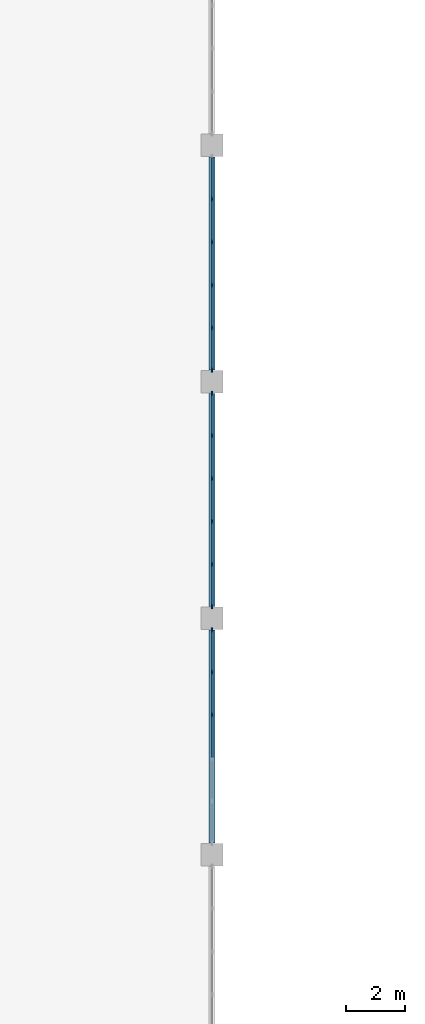
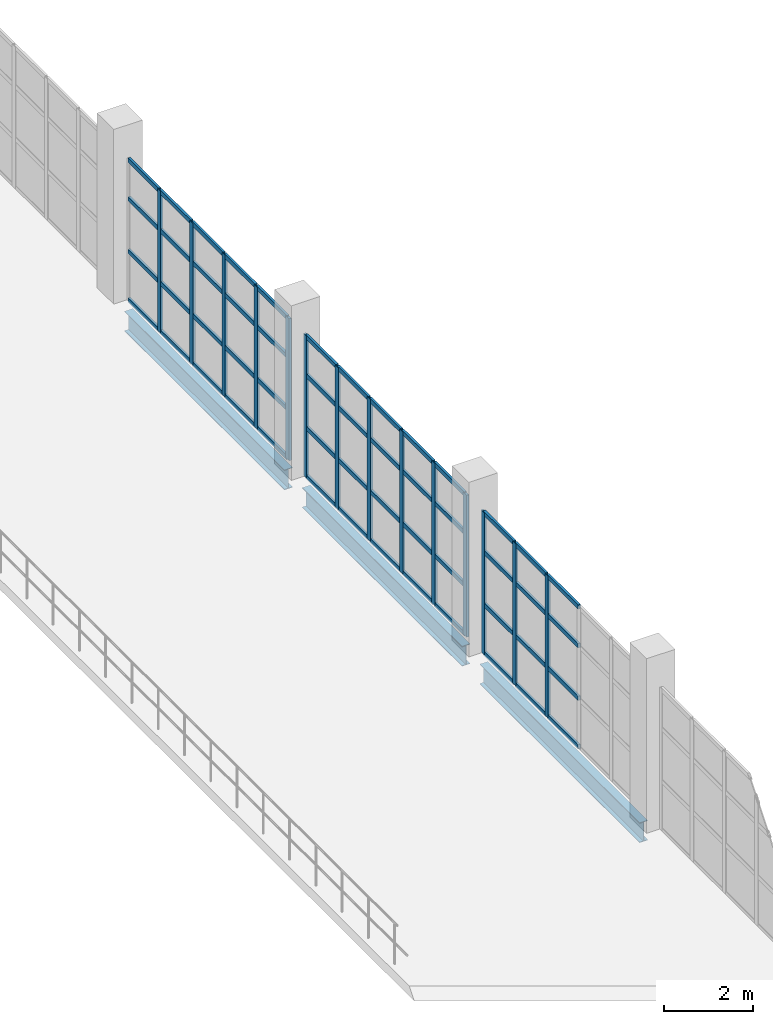
# One storey, part 22 of 93: 66 members, 3 beams, 3 elements without a shape of their own.
"""IFC4 building model written with IfcOpenShell, lengths in metres."""

import ifcopenshell
import ifcopenshell.guid

model = None  # the IFC model being written
_history = None  # IfcOwnerHistory: only IFC2X3 demands one
_inside = {}  # id of a spatial element -> (the spatial element, [elements in it])
_under = {}  # id of a project, library or spatial element -> (it, [spatial elements below it])
_declared = {}  # id of a project -> (the project, [libraries it declares])
_typed = {}  # id of a type object -> (the type object, [elements of that type])
_made_of = {}  # id of a material, layer set ... -> (it, [elements and type objects made of it])


def new_model(schema):
    """Start an empty IFC model of exactly this schema.

    Asked for "IFC4X3", IfcOpenShell would pick the latest addendum, in which some entities
    have other attributes; the version numbers below select the first issue.
    IFC2X3 requires an IfcOwnerHistory on every rooted entity: one is made here for all.
    """
    global model, _history
    if schema == "IFC4X3":
        model = ifcopenshell.file(schema_version=(4, 3, 0, 0))
    else:
        model = ifcopenshell.file(schema=schema)
    _inside.clear()
    _under.clear()
    _declared.clear()
    _typed.clear()
    _made_of.clear()
    _history = None
    if model.schema == "IFC2X3":
        org = make("IfcOrganization", Name="unknown")
        user = make(
            "IfcPersonAndOrganization",
            ThePerson=make("IfcPerson", FamilyName="unknown"),
            TheOrganization=org,
        )
        app = make(
            "IfcApplication",
            ApplicationDeveloper=org,
            Version="unknown",
            ApplicationFullName="unknown",
            ApplicationIdentifier="unknown",
        )
        _history = make(
            "IfcOwnerHistory",
            OwningUser=user,
            OwningApplication=app,
            ChangeAction="ADDED",
            CreationDate=0,
        )
    return model


def make(cls, **values):
    """One entity of the class cls with the attributes given. An attribute that is None is left unset."""
    return model.create_entity(
        cls, **{name: value for name, value in values.items() if value is not None}
    )


def rooted(cls, **values):
    """An entity with a GlobalId (a new one), such as an element, a storey or a relation."""
    return make(cls, GlobalId=ifcopenshell.guid.new(), OwnerHistory=_history, **values)


def si_unit(unit_type, name, prefix=None):
    """IfcSIUnit, for example si_unit("LENGTHUNIT", "METRE", prefix="MILLI")."""
    return make("IfcSIUnit", UnitType=unit_type, Prefix=prefix, Name=name)


def assignment(units):
    """IfcUnitAssignment: the units of a project."""
    return None if units is None else make("IfcUnitAssignment", Units=units)


def point(xyz):
    """IfcCartesianPoint."""
    return None if xyz is None else make("IfcCartesianPoint", Coordinates=xyz)


def direction(xyz):
    """IfcDirection."""
    return None if xyz is None else make("IfcDirection", DirectionRatios=xyz)


def frame(location, z_axis=None, x_axis=None):
    """IfcAxis2Placement3D, a coordinate frame: its origin and axes. An axis left out is left unset."""
    return make(
        "IfcAxis2Placement3D",
        Location=point(location),
        Axis=direction(z_axis),
        RefDirection=direction(x_axis),
    )


def frame_2d(location, x_axis=None):
    """IfcAxis2Placement2D, a coordinate frame in the plane: its origin and x axis."""
    return make(
        "IfcAxis2Placement2D", Location=point(location), RefDirection=direction(x_axis)
    )


def origin():
    """The frame at (0, 0, 0) with its axes left unset."""
    return frame((0.0, 0.0, 0.0))


def origin_2d():
    """The frame at (0, 0) in the plane with its x axis left unset."""
    return frame_2d((0.0, 0.0))


def place(relative_to, where):
    """IfcLocalPlacement: puts the frame where relative to a parent placement (None: the world)."""
    return make(
        "IfcLocalPlacement", PlacementRelTo=relative_to, RelativePlacement=where
    )


def context(
    kind, dimensions, precision=None, world=None, true_north=None, identifier=None
):
    """IfcGeometricRepresentationContext, for example the 3D "Model" context."""
    return make(
        "IfcGeometricRepresentationContext",
        ContextIdentifier=identifier,
        ContextType=kind,
        CoordinateSpaceDimension=dimensions,
        Precision=precision,
        WorldCoordinateSystem=world,
        TrueNorth=true_north,
    )


def subcontext(parent, identifier, kind, view, scale=None):
    """IfcGeometricRepresentationSubContext, for example "Body" below "Model"."""
    return make(
        "IfcGeometricRepresentationSubContext",
        ContextIdentifier=identifier,
        ContextType=kind,
        ParentContext=parent,
        TargetScale=scale,
        TargetView=view,
    )


def project(units=None, contexts=None):
    """IfcProject with its units and contexts."""
    return rooted(
        "IfcProject",
        Name="project",
        RepresentationContexts=contexts,
        UnitsInContext=assignment(units),
    )


def spatial(cls, under=None, at=None, **own):
    """A site, building, storey or space (cls), placed at a placement, below another one or the project."""
    s = rooted(cls, ObjectPlacement=at, **own)
    if under is not None:
        _under.setdefault(under.id(), (under, []))[1].append(s)
    return s


def profile(cls, at=None, kind="AREA", **sizes):
    """A parametric profile (cls). Its sizes go by their IFC names, for example OverallWidth=200.0."""
    return make(cls, ProfileType=kind, Position=at, **sizes)


def rectangle(**sizes):
    """IfcRectangleProfileDef."""
    return profile("IfcRectangleProfileDef", **sizes)


def i_section(**sizes):
    """IfcIShapeProfileDef."""
    return profile("IfcIShapeProfileDef", **sizes)


def extrude(swept, where, along, depth):
    """IfcExtrudedAreaSolid: the profile swept, set in the frame where, extruded along a direction by depth."""
    return make(
        "IfcExtrudedAreaSolid",
        SweptArea=swept,
        Position=where,
        ExtrudedDirection=direction(along),
        Depth=depth,
    )


def shape(context_of_items, identifier, shape_type, items):
    """IfcShapeRepresentation: the items that make up one representation, for example the "Body"."""
    return make(
        "IfcShapeRepresentation",
        ContextOfItems=context_of_items,
        RepresentationIdentifier=identifier,
        RepresentationType=shape_type,
        Items=items,
    )


def material(Name=None, Category=None):
    """IfcMaterial."""
    return make("IfcMaterial", Name=Name, Category=Category)


def layer(
    of_material, thickness, ventilated=None, Name=None, Category=None, Priority=None
):
    """IfcMaterialLayer: one layer of a wall or slab, of a material (None: an air gap)."""
    return make(
        "IfcMaterialLayer",
        Material=of_material,
        LayerThickness=thickness,
        IsVentilated=ventilated,
        Name=Name,
        Category=Category,
        Priority=Priority,
    )


def layer_set(layers, Name=None):
    """IfcMaterialLayerSet."""
    return make("IfcMaterialLayerSet", MaterialLayers=layers, LayerSetName=Name)


def material_profile(
    of_material, cross_section, Name=None, Category=None, Priority=None
):
    """IfcMaterialProfile: a cross section and its material."""
    return make(
        "IfcMaterialProfile",
        Name=Name,
        Material=of_material,
        Profile=cross_section,
        Priority=Priority,
        Category=Category,
    )


def profile_set(profiles, Name=None, composite=None):
    """IfcMaterialProfileSet."""
    return make(
        "IfcMaterialProfileSet",
        Name=Name,
        MaterialProfiles=profiles,
        CompositeProfile=composite,
    )


def made_of(thing, what):
    """Note that an element or type object is made of a material, layer set ...; save() writes the relation."""
    if what is not None:
        _made_of.setdefault(what.id(), (what, []))[1].append(thing)
    return thing


def type_object(cls, material=None, **own):
    """A type object (cls), such as IfcWallType, which elements share."""
    return made_of(rooted(cls, **own), material)


def element(
    cls,
    number,
    at=None,
    inside=None,
    cuts=None,
    type_object=None,
    material=None,
    context=None,
    identifier="Body",
    shape_type=None,
    held_by="IfcProductDefinitionShape",
    body=None,
    shapes=None,
    **own,
):
    """One element of the class cls, such as IfcWall. Its Tag is "e" and its number.

    at: its placement. inside: the storey or other place that contains it. cuts: it is an
    opening in that element (IfcRelVoidsElement). A single representation is given by context,
    identifier, shape_type and body (its items); several are given by shapes. held_by: the class
    of the entity that holds the representations. save() writes the other relations.
    """
    e = rooted(cls, Tag="e%d" % number, ObjectPlacement=at, **own)
    if body is not None:
        shapes = [shape(context, identifier, shape_type, body)]
    if shapes is not None:
        e.Representation = make(held_by, Representations=shapes)
    if inside is not None:
        _inside.setdefault(inside.id(), (inside, []))[1].append(e)
    if cuts is not None:
        rooted(
            "IfcRelVoidsElement", RelatingBuildingElement=cuts, RelatedOpeningElement=e
        )
    if type_object is not None:
        _typed.setdefault(type_object.id(), (type_object, []))[1].append(e)
    return made_of(e, material)


def aggregate(whole, parts):
    """IfcRelAggregates: a whole, such as a stair, and the parts it consists of."""
    return rooted("IfcRelAggregates", RelatingObject=whole, RelatedObjects=parts)


def save(model, path):
    """Write the relations noted so far, then the file.

    IfcRelAggregates (storeys below a building ...), IfcRelContainedInSpatialStructure (elements
    in a storey), IfcRelDefinesByType, IfcRelAssociatesMaterial and IfcRelDeclares: one each for
    every whole, place, type object, material and project.
    """
    for whole, parts in _under.values():
        aggregate(whole, parts)
    for where, things in _inside.values():
        rooted(
            "IfcRelContainedInSpatialStructure",
            RelatedElements=things,
            RelatingStructure=where,
        )
    for kind, things in _typed.values():
        rooted("IfcRelDefinesByType", RelatedObjects=things, RelatingType=kind)
    for what, things in _made_of.values():
        rooted("IfcRelAssociatesMaterial", RelatedObjects=things, RelatingMaterial=what)
    for by, libraries in _declared.values():
        rooted("IfcRelDeclares", RelatingContext=by, RelatedDefinitions=libraries)
    model.write(path)


model = new_model("IFC4")

# Units and contexts
model_context = context("Model", 3, precision=1e-05, world=origin(), true_north=direction((0.0, 1.0)))
body_context = subcontext(model_context, "Body", "Model", "MODEL_VIEW")
ifc_project = project(units=[si_unit("LENGTHUNIT", "METRE"), si_unit("AREAUNIT", "SQUARE_METRE"), si_unit("VOLUMEUNIT", "CUBIC_METRE"), si_unit("PLANEANGLEUNIT", "RADIAN"), si_unit("MASSUNIT", "GRAM", prefix="KILO")], contexts=[model_context])

# Site, building, storey
site_placement = place(None, origin())
site = spatial("IfcSite", under=ifc_project, at=site_placement, CompositionType="ELEMENT")
building_placement = place(site_placement, origin())
building = spatial("IfcBuilding", under=site, at=building_placement, Name="Drelvana Railside Aquatics Centre", CompositionType="ELEMENT")
storey_placement = place(building_placement, frame((0.0, 0.0, 5.39990234375)))
storey = spatial("IfcBuildingStorey", under=building, at=storey_placement, Name="L01", CompositionType="ELEMENT", Elevation=5.39990234375)

# Curtain wall, members
ifc_material_1 = material(Name="Bronze-anodised aluminium curtain wall", Category="aluminium")
ifc_layer = layer(ifc_material_1, 0.1650390625, Name="Bronze-anodised aluminium curtain wall")
ifc_layer_set = layer_set([ifc_layer], Name="Bronze-anodised aluminium curtain wall")
curtain_wall_type = type_object("IfcCurtainWallType", Name="CW-Z5-COURT", PredefinedType="NOTDEFINED", material=ifc_layer_set)
curtain_wall_1_placement = place(storey_placement, origin())
curtain_wall_1 = element("IfcCurtainWall", 1, at=curtain_wall_1_placement, inside=storey, type_object=curtain_wall_type, Name="Curtain wall CW-05-060", PredefinedType="NOTDEFINED")
ifc_material_2 = material(Name="Bronze-anodised aluminium 6063-T6", Category="aluminium")
ifc_material_profile_1 = material_profile(ifc_material_2, rectangle(XDim=0.06005859375, YDim=0.14990234375, at=origin_2d()), Name="ALU-M 60x150")
ifc_profile_set_1 = profile_set([ifc_material_profile_1], Name="Bronze-anodised aluminium 6063-T6")
member_type_1 = type_object("IfcMemberType", Name="CW-Z5-COURT-MUL", PredefinedType="MULLION", material=ifc_profile_set_1)
member_1_placement = place(storey_placement, frame((96.0, 36.726318359375, -0.005859375), z_axis=(0.0, 0.0, 1.0), x_axis=(-1.0, 0.0, 0.0)))
member_1 = element("IfcMember", 2, at=member_1_placement, type_object=member_type_1, Name="CW-05 mullion 4", PredefinedType="MULLION", context=body_context, shape_type="SweptSolid", body=[
    extrude(rectangle(XDim=0.06005859375, YDim=0.14990234375, at=origin_2d()), origin(), (0.0, 0.0, 1.0), 3.906005859375),
])
member_2_placement = place(storey_placement, frame((96.0, 38.1787109375, -0.005859375), z_axis=(0.0, 0.0, 1.0), x_axis=(-1.0, 0.0, 0.0)))
member_2 = element("IfcMember", 3, at=member_2_placement, type_object=member_type_1, Name="CW-05 mullion 5", PredefinedType="MULLION", context=body_context, shape_type="SweptSolid", body=[
    extrude(rectangle(XDim=0.06005859375, YDim=0.14990234375, at=origin_2d()), origin(), (0.0, 0.0, 1.0), 3.906005859375),
])
member_3_placement = place(storey_placement, frame((96.0, 39.60107421875, -0.005859375), z_axis=(0.0, 0.0, 1.0), x_axis=(-1.0, 0.0, 0.0)))
member_3 = element("IfcMember", 4, at=member_3_placement, type_object=member_type_1, Name="CW-05 mullion 6", PredefinedType="MULLION", context=body_context, shape_type="SweptSolid", body=[
    extrude(rectangle(XDim=0.06005859375, YDim=0.14990234375, at=origin_2d()), origin(), (0.0, 0.0, 1.0), 3.906005859375),
])

curtain_wall_2_placement = place(storey_placement, origin())
curtain_wall_2 = element("IfcCurtainWall", 5, at=curtain_wall_2_placement, inside=storey, type_object=curtain_wall_type, Name="Curtain wall CW-05-064", PredefinedType="NOTDEFINED")
member_4_placement = place(storey_placement, frame((96.0, 40.39892578125, -0.005859375), z_axis=(0.0, 0.0, 1.0), x_axis=(-1.0, 0.0, 0.0)))
member_4 = element("IfcMember", 6, at=member_4_placement, type_object=member_type_1, Name="CW-05 mullion 1", PredefinedType="MULLION", context=body_context, shape_type="SweptSolid", body=[
    extrude(rectangle(XDim=0.06005859375, YDim=0.14990234375, at=origin_2d()), origin(), (0.0, 0.0, 1.0), 3.906005859375),
])
member_5_placement = place(storey_placement, frame((96.0, 41.8212890625, -0.005859375), z_axis=(0.0, 0.0, 1.0), x_axis=(-1.0, 0.0, 0.0)))
member_5 = element("IfcMember", 7, at=member_5_placement, type_object=member_type_1, Name="CW-05 mullion 2", PredefinedType="MULLION", context=body_context, shape_type="SweptSolid", body=[
    extrude(rectangle(XDim=0.06005859375, YDim=0.14990234375, at=origin_2d()), origin(), (0.0, 0.0, 1.0), 3.906005859375),
])
member_6_placement = place(storey_placement, frame((96.0, 43.273681640625, -0.005859375), z_axis=(0.0, 0.0, 1.0), x_axis=(-1.0, 0.0, 0.0)))
member_6 = element("IfcMember", 8, at=member_6_placement, type_object=member_type_1, Name="CW-05 mullion 3", PredefinedType="MULLION", context=body_context, shape_type="SweptSolid", body=[
    extrude(rectangle(XDim=0.06005859375, YDim=0.14990234375, at=origin_2d()), origin(), (0.0, 0.0, 1.0), 3.906005859375),
])
member_7_placement = place(storey_placement, frame((96.0, 44.726318359375, -0.005859375), z_axis=(0.0, 0.0, 1.0), x_axis=(-1.0, 0.0, 0.0)))
member_7 = element("IfcMember", 9, at=member_7_placement, type_object=member_type_1, Name="CW-05 mullion 4", PredefinedType="MULLION", context=body_context, shape_type="SweptSolid", body=[
    extrude(rectangle(XDim=0.06005859375, YDim=0.14990234375, at=origin_2d()), origin(), (0.0, 0.0, 1.0), 3.906005859375),
])
member_8_placement = place(storey_placement, frame((96.0, 46.1787109375, -0.005859375), z_axis=(0.0, 0.0, 1.0), x_axis=(-1.0, 0.0, 0.0)))
member_8 = element("IfcMember", 10, at=member_8_placement, type_object=member_type_1, Name="CW-05 mullion 5", PredefinedType="MULLION", context=body_context, shape_type="SweptSolid", body=[
    extrude(rectangle(XDim=0.06005859375, YDim=0.14990234375, at=origin_2d()), origin(), (0.0, 0.0, 1.0), 3.906005859375),
])
member_9_placement = place(storey_placement, frame((96.0, 47.60107421875, -0.005859375), z_axis=(0.0, 0.0, 1.0), x_axis=(-1.0, 0.0, 0.0)))
member_9 = element("IfcMember", 11, at=member_9_placement, type_object=member_type_1, Name="CW-05 mullion 6", PredefinedType="MULLION", context=body_context, shape_type="SweptSolid", body=[
    extrude(rectangle(XDim=0.06005859375, YDim=0.14990234375, at=origin_2d()), origin(), (0.0, 0.0, 1.0), 3.906005859375),
])

curtain_wall_3_placement = place(storey_placement, origin())
curtain_wall_3 = element("IfcCurtainWall", 12, at=curtain_wall_3_placement, inside=storey, type_object=curtain_wall_type, Name="Curtain wall CW-05-067", PredefinedType="NOTDEFINED")
member_10_placement = place(storey_placement, frame((96.0, 48.39892578125, -0.005859375), z_axis=(0.0, 0.0, 1.0), x_axis=(-1.0, 0.0, 0.0)))
member_10 = element("IfcMember", 13, at=member_10_placement, type_object=member_type_1, Name="CW-05 mullion 1", PredefinedType="MULLION", context=body_context, shape_type="SweptSolid", body=[
    extrude(rectangle(XDim=0.06005859375, YDim=0.14990234375, at=origin_2d()), origin(), (0.0, 0.0, 1.0), 3.906005859375),
])
member_11_placement = place(storey_placement, frame((96.0, 49.8212890625, -0.005859375), z_axis=(0.0, 0.0, 1.0), x_axis=(-1.0, 0.0, 0.0)))
member_11 = element("IfcMember", 14, at=member_11_placement, type_object=member_type_1, Name="CW-05 mullion 2", PredefinedType="MULLION", context=body_context, shape_type="SweptSolid", body=[
    extrude(rectangle(XDim=0.06005859375, YDim=0.14990234375, at=origin_2d()), origin(), (0.0, 0.0, 1.0), 3.906005859375),
])
member_12_placement = place(storey_placement, frame((96.0, 51.273681640625, -0.005859375), z_axis=(0.0, 0.0, 1.0), x_axis=(-1.0, 0.0, 0.0)))
member_12 = element("IfcMember", 15, at=member_12_placement, type_object=member_type_1, Name="CW-05 mullion 3", PredefinedType="MULLION", context=body_context, shape_type="SweptSolid", body=[
    extrude(rectangle(XDim=0.06005859375, YDim=0.14990234375, at=origin_2d()), origin(), (0.0, 0.0, 1.0), 3.906005859375),
])
member_13_placement = place(storey_placement, frame((96.0, 52.726318359375, -0.005859375), z_axis=(0.0, 0.0, 1.0), x_axis=(-1.0, 0.0, 0.0)))
member_13 = element("IfcMember", 16, at=member_13_placement, type_object=member_type_1, Name="CW-05 mullion 4", PredefinedType="MULLION", context=body_context, shape_type="SweptSolid", body=[
    extrude(rectangle(XDim=0.06005859375, YDim=0.14990234375, at=origin_2d()), origin(), (0.0, 0.0, 1.0), 3.906005859375),
])
member_14_placement = place(storey_placement, frame((96.0, 54.1787109375, -0.005859375), z_axis=(0.0, 0.0, 1.0), x_axis=(-1.0, 0.0, 0.0)))
member_14 = element("IfcMember", 17, at=member_14_placement, type_object=member_type_1, Name="CW-05 mullion 5", PredefinedType="MULLION", context=body_context, shape_type="SweptSolid", body=[
    extrude(rectangle(XDim=0.06005859375, YDim=0.14990234375, at=origin_2d()), origin(), (0.0, 0.0, 1.0), 3.906005859375),
])

# Member
ifc_material_profile_2 = material_profile(ifc_material_2, rectangle(XDim=0.1201171875, YDim=0.06005859375, at=origin_2d()), Name="ALU-T 60x120")
ifc_profile_set_2 = profile_set([ifc_material_profile_2], Name="Bronze-anodised aluminium 6063-T6")
member_type_2 = type_object("IfcMemberType", Name="CW-Z5-COURT-TRN", PredefinedType="USERDEFINED", material=ifc_profile_set_2)
member_15_placement = place(storey_placement, frame((96.0, 35.298828125, 0.024169921875), z_axis=(0.0, 1.0, 0.0), x_axis=(0.0, 0.0, 1.0)))
member_15 = element("IfcMember", 18, at=member_15_placement, type_object=member_type_2, Name="CW-05 transom 3.1", ObjectType="TRANSOM", PredefinedType="USERDEFINED", context=body_context, shape_type="SweptSolid", body=[
    extrude(rectangle(XDim=0.1201171875, YDim=0.06005859375, at=origin_2d()), origin(), (0.0, 0.0, 1.0), 1.40234375),
])

member_16_placement = place(storey_placement, frame((96.0, 35.298828125, 1.361083984375), z_axis=(0.0, 1.0, 0.0), x_axis=(0.0, 0.0, 1.0)))
member_16 = element("IfcMember", 19, at=member_16_placement, type_object=member_type_2, Name="CW-05 transom 3.2", ObjectType="TRANSOM", PredefinedType="USERDEFINED", context=body_context, shape_type="SweptSolid", body=[
    extrude(rectangle(XDim=0.1201171875, YDim=0.06005859375, at=origin_2d()), origin(), (0.0, 0.0, 1.0), 1.40234375),
])

member_17_placement = place(storey_placement, frame((96.0, 35.298828125, 2.80615234375), z_axis=(0.0, 1.0, 0.0), x_axis=(0.0, 0.0, 1.0)))
member_17 = element("IfcMember", 20, at=member_17_placement, type_object=member_type_2, Name="CW-05 transom 3.3", ObjectType="TRANSOM", PredefinedType="USERDEFINED", context=body_context, shape_type="SweptSolid", body=[
    extrude(rectangle(XDim=0.1201171875, YDim=0.06005859375, at=origin_2d()), origin(), (0.0, 0.0, 1.0), 1.40234375),
])

member_18_placement = place(storey_placement, frame((96.0, 35.298828125, 3.8701171875), z_axis=(0.0, 1.0, 0.0), x_axis=(0.0, 0.0, 1.0)))
member_18 = element("IfcMember", 21, at=member_18_placement, type_object=member_type_2, Name="CW-05 transom 3.4", ObjectType="TRANSOM", PredefinedType="USERDEFINED", context=body_context, shape_type="SweptSolid", body=[
    extrude(rectangle(XDim=0.1201171875, YDim=0.06005859375, at=origin_2d()), origin(), (0.0, 0.0, 1.0), 1.40234375),
])

member_19_placement = place(storey_placement, frame((96.0, 36.751220703125, 0.024169921875), z_axis=(0.0, 1.0, 0.0), x_axis=(0.0, 0.0, 1.0)))
member_19 = element("IfcMember", 22, at=member_19_placement, type_object=member_type_2, Name="CW-05 transom 4.1", ObjectType="TRANSOM", PredefinedType="USERDEFINED", context=body_context, shape_type="SweptSolid", body=[
    extrude(rectangle(XDim=0.1201171875, YDim=0.06005859375, at=origin_2d()), origin(), (0.0, 0.0, 1.0), 1.40234375),
])

member_20_placement = place(storey_placement, frame((96.0, 36.751220703125, 1.361083984375), z_axis=(0.0, 1.0, 0.0), x_axis=(0.0, 0.0, 1.0)))
member_20 = element("IfcMember", 23, at=member_20_placement, type_object=member_type_2, Name="CW-05 transom 4.2", ObjectType="TRANSOM", PredefinedType="USERDEFINED", context=body_context, shape_type="SweptSolid", body=[
    extrude(rectangle(XDim=0.1201171875, YDim=0.06005859375, at=origin_2d()), origin(), (0.0, 0.0, 1.0), 1.40234375),
])

member_21_placement = place(storey_placement, frame((96.0, 36.751220703125, 2.80615234375), z_axis=(0.0, 1.0, 0.0), x_axis=(0.0, 0.0, 1.0)))
member_21 = element("IfcMember", 24, at=member_21_placement, type_object=member_type_2, Name="CW-05 transom 4.3", ObjectType="TRANSOM", PredefinedType="USERDEFINED", context=body_context, shape_type="SweptSolid", body=[
    extrude(rectangle(XDim=0.1201171875, YDim=0.06005859375, at=origin_2d()), origin(), (0.0, 0.0, 1.0), 1.40234375),
])

member_22_placement = place(storey_placement, frame((96.0, 36.751220703125, 3.8701171875), z_axis=(0.0, 1.0, 0.0), x_axis=(0.0, 0.0, 1.0)))
member_22 = element("IfcMember", 25, at=member_22_placement, type_object=member_type_2, Name="CW-05 transom 4.4", ObjectType="TRANSOM", PredefinedType="USERDEFINED", context=body_context, shape_type="SweptSolid", body=[
    extrude(rectangle(XDim=0.1201171875, YDim=0.06005859375, at=origin_2d()), origin(), (0.0, 0.0, 1.0), 1.40234375),
])

member_23_placement = place(storey_placement, frame((96.0, 38.20361328125, 0.024169921875), z_axis=(0.0, 1.0, 0.0), x_axis=(0.0, 0.0, 1.0)))
member_23 = element("IfcMember", 26, at=member_23_placement, type_object=member_type_2, Name="CW-05 transom 5.1", ObjectType="TRANSOM", PredefinedType="USERDEFINED", context=body_context, shape_type="SweptSolid", body=[
    extrude(rectangle(XDim=0.1201171875, YDim=0.06005859375, at=origin_2d()), origin(), (0.0, 0.0, 1.0), 1.372314453125),
])

member_24_placement = place(storey_placement, frame((96.0, 38.20361328125, 1.361083984375), z_axis=(0.0, 1.0, 0.0), x_axis=(0.0, 0.0, 1.0)))
member_24 = element("IfcMember", 27, at=member_24_placement, type_object=member_type_2, Name="CW-05 transom 5.2", ObjectType="TRANSOM", PredefinedType="USERDEFINED", context=body_context, shape_type="SweptSolid", body=[
    extrude(rectangle(XDim=0.1201171875, YDim=0.06005859375, at=origin_2d()), origin(), (0.0, 0.0, 1.0), 1.372314453125),
])

member_25_placement = place(storey_placement, frame((96.0, 38.20361328125, 2.80615234375), z_axis=(0.0, 1.0, 0.0), x_axis=(0.0, 0.0, 1.0)))
member_25 = element("IfcMember", 28, at=member_25_placement, type_object=member_type_2, Name="CW-05 transom 5.3", ObjectType="TRANSOM", PredefinedType="USERDEFINED", context=body_context, shape_type="SweptSolid", body=[
    extrude(rectangle(XDim=0.1201171875, YDim=0.06005859375, at=origin_2d()), origin(), (0.0, 0.0, 1.0), 1.372314453125),
])

member_26_placement = place(storey_placement, frame((96.0, 38.20361328125, 3.8701171875), z_axis=(0.0, 1.0, 0.0), x_axis=(0.0, 0.0, 1.0)))
member_26 = element("IfcMember", 29, at=member_26_placement, type_object=member_type_2, Name="CW-05 transom 5.4", ObjectType="TRANSOM", PredefinedType="USERDEFINED", context=body_context, shape_type="SweptSolid", body=[
    extrude(rectangle(XDim=0.1201171875, YDim=0.06005859375, at=origin_2d()), origin(), (0.0, 0.0, 1.0), 1.372314453125),
])

aggregate(curtain_wall_1, [member_1, member_2, member_3, member_15, member_16, member_17, member_18, member_19, member_20, member_21, member_22, member_23, member_24, member_25, member_26])

member_27_placement = place(storey_placement, frame((96.0, 40.424072265625, 0.024169921875), z_axis=(0.0, 1.0, 0.0), x_axis=(0.0, 0.0, 1.0)))
member_27 = element("IfcMember", 30, at=member_27_placement, type_object=member_type_2, Name="CW-05 transom 1.1", ObjectType="TRANSOM", PredefinedType="USERDEFINED", context=body_context, shape_type="SweptSolid", body=[
    extrude(rectangle(XDim=0.1201171875, YDim=0.06005859375, at=origin_2d()), origin(), (0.0, 0.0, 1.0), 1.372314453125),
])

member_28_placement = place(storey_placement, frame((96.0, 40.424072265625, 1.361083984375), z_axis=(0.0, 1.0, 0.0), x_axis=(0.0, 0.0, 1.0)))
member_28 = element("IfcMember", 31, at=member_28_placement, type_object=member_type_2, Name="CW-05 transom 1.2", ObjectType="TRANSOM", PredefinedType="USERDEFINED", context=body_context, shape_type="SweptSolid", body=[
    extrude(rectangle(XDim=0.1201171875, YDim=0.06005859375, at=origin_2d()), origin(), (0.0, 0.0, 1.0), 1.372314453125),
])

member_29_placement = place(storey_placement, frame((96.0, 40.424072265625, 2.80615234375), z_axis=(0.0, 1.0, 0.0), x_axis=(0.0, 0.0, 1.0)))
member_29 = element("IfcMember", 32, at=member_29_placement, type_object=member_type_2, Name="CW-05 transom 1.3", ObjectType="TRANSOM", PredefinedType="USERDEFINED", context=body_context, shape_type="SweptSolid", body=[
    extrude(rectangle(XDim=0.1201171875, YDim=0.06005859375, at=origin_2d()), origin(), (0.0, 0.0, 1.0), 1.372314453125),
])

member_30_placement = place(storey_placement, frame((96.0, 40.424072265625, 3.8701171875), z_axis=(0.0, 1.0, 0.0), x_axis=(0.0, 0.0, 1.0)))
member_30 = element("IfcMember", 33, at=member_30_placement, type_object=member_type_2, Name="CW-05 transom 1.4", ObjectType="TRANSOM", PredefinedType="USERDEFINED", context=body_context, shape_type="SweptSolid", body=[
    extrude(rectangle(XDim=0.1201171875, YDim=0.06005859375, at=origin_2d()), origin(), (0.0, 0.0, 1.0), 1.372314453125),
])

member_31_placement = place(storey_placement, frame((96.0, 41.846435546875, 0.024169921875), z_axis=(0.0, 1.0, 0.0), x_axis=(0.0, 0.0, 1.0)))
member_31 = element("IfcMember", 34, at=member_31_placement, type_object=member_type_2, Name="CW-05 transom 2.1", ObjectType="TRANSOM", PredefinedType="USERDEFINED", context=body_context, shape_type="SweptSolid", body=[
    extrude(rectangle(XDim=0.1201171875, YDim=0.06005859375, at=origin_2d()), origin(), (0.0, 0.0, 1.0), 1.40234375),
])

member_32_placement = place(storey_placement, frame((96.0, 41.846435546875, 1.361083984375), z_axis=(0.0, 1.0, 0.0), x_axis=(0.0, 0.0, 1.0)))
member_32 = element("IfcMember", 35, at=member_32_placement, type_object=member_type_2, Name="CW-05 transom 2.2", ObjectType="TRANSOM", PredefinedType="USERDEFINED", context=body_context, shape_type="SweptSolid", body=[
    extrude(rectangle(XDim=0.1201171875, YDim=0.06005859375, at=origin_2d()), origin(), (0.0, 0.0, 1.0), 1.40234375),
])

member_33_placement = place(storey_placement, frame((96.0, 41.846435546875, 2.80615234375), z_axis=(0.0, 1.0, 0.0), x_axis=(0.0, 0.0, 1.0)))
member_33 = element("IfcMember", 36, at=member_33_placement, type_object=member_type_2, Name="CW-05 transom 2.3", ObjectType="TRANSOM", PredefinedType="USERDEFINED", context=body_context, shape_type="SweptSolid", body=[
    extrude(rectangle(XDim=0.1201171875, YDim=0.06005859375, at=origin_2d()), origin(), (0.0, 0.0, 1.0), 1.40234375),
])

member_34_placement = place(storey_placement, frame((96.0, 41.846435546875, 3.8701171875), z_axis=(0.0, 1.0, 0.0), x_axis=(0.0, 0.0, 1.0)))
member_34 = element("IfcMember", 37, at=member_34_placement, type_object=member_type_2, Name="CW-05 transom 2.4", ObjectType="TRANSOM", PredefinedType="USERDEFINED", context=body_context, shape_type="SweptSolid", body=[
    extrude(rectangle(XDim=0.1201171875, YDim=0.06005859375, at=origin_2d()), origin(), (0.0, 0.0, 1.0), 1.40234375),
])

member_35_placement = place(storey_placement, frame((96.0, 43.298828125, 0.024169921875), z_axis=(0.0, 1.0, 0.0), x_axis=(0.0, 0.0, 1.0)))
member_35 = element("IfcMember", 38, at=member_35_placement, type_object=member_type_2, Name="CW-05 transom 3.1", ObjectType="TRANSOM", PredefinedType="USERDEFINED", context=body_context, shape_type="SweptSolid", body=[
    extrude(rectangle(XDim=0.1201171875, YDim=0.06005859375, at=origin_2d()), origin(), (0.0, 0.0, 1.0), 1.40234375),
])

member_36_placement = place(storey_placement, frame((96.0, 43.298828125, 1.361083984375), z_axis=(0.0, 1.0, 0.0), x_axis=(0.0, 0.0, 1.0)))
member_36 = element("IfcMember", 39, at=member_36_placement, type_object=member_type_2, Name="CW-05 transom 3.2", ObjectType="TRANSOM", PredefinedType="USERDEFINED", context=body_context, shape_type="SweptSolid", body=[
    extrude(rectangle(XDim=0.1201171875, YDim=0.06005859375, at=origin_2d()), origin(), (0.0, 0.0, 1.0), 1.40234375),
])

member_37_placement = place(storey_placement, frame((96.0, 43.298828125, 2.80615234375), z_axis=(0.0, 1.0, 0.0), x_axis=(0.0, 0.0, 1.0)))
member_37 = element("IfcMember", 40, at=member_37_placement, type_object=member_type_2, Name="CW-05 transom 3.3", ObjectType="TRANSOM", PredefinedType="USERDEFINED", context=body_context, shape_type="SweptSolid", body=[
    extrude(rectangle(XDim=0.1201171875, YDim=0.06005859375, at=origin_2d()), origin(), (0.0, 0.0, 1.0), 1.40234375),
])

member_38_placement = place(storey_placement, frame((96.0, 43.298828125, 3.8701171875), z_axis=(0.0, 1.0, 0.0), x_axis=(0.0, 0.0, 1.0)))
member_38 = element("IfcMember", 41, at=member_38_placement, type_object=member_type_2, Name="CW-05 transom 3.4", ObjectType="TRANSOM", PredefinedType="USERDEFINED", context=body_context, shape_type="SweptSolid", body=[
    extrude(rectangle(XDim=0.1201171875, YDim=0.06005859375, at=origin_2d()), origin(), (0.0, 0.0, 1.0), 1.40234375),
])

member_39_placement = place(storey_placement, frame((96.0, 44.751220703125, 0.024169921875), z_axis=(0.0, 1.0, 0.0), x_axis=(0.0, 0.0, 1.0)))
member_39 = element("IfcMember", 42, at=member_39_placement, type_object=member_type_2, Name="CW-05 transom 4.1", ObjectType="TRANSOM", PredefinedType="USERDEFINED", context=body_context, shape_type="SweptSolid", body=[
    extrude(rectangle(XDim=0.1201171875, YDim=0.06005859375, at=origin_2d()), origin(), (0.0, 0.0, 1.0), 1.40234375),
])

member_40_placement = place(storey_placement, frame((96.0, 44.751220703125, 1.361083984375), z_axis=(0.0, 1.0, 0.0), x_axis=(0.0, 0.0, 1.0)))
member_40 = element("IfcMember", 43, at=member_40_placement, type_object=member_type_2, Name="CW-05 transom 4.2", ObjectType="TRANSOM", PredefinedType="USERDEFINED", context=body_context, shape_type="SweptSolid", body=[
    extrude(rectangle(XDim=0.1201171875, YDim=0.06005859375, at=origin_2d()), origin(), (0.0, 0.0, 1.0), 1.40234375),
])

member_41_placement = place(storey_placement, frame((96.0, 44.751220703125, 2.80615234375), z_axis=(0.0, 1.0, 0.0), x_axis=(0.0, 0.0, 1.0)))
member_41 = element("IfcMember", 44, at=member_41_placement, type_object=member_type_2, Name="CW-05 transom 4.3", ObjectType="TRANSOM", PredefinedType="USERDEFINED", context=body_context, shape_type="SweptSolid", body=[
    extrude(rectangle(XDim=0.1201171875, YDim=0.06005859375, at=origin_2d()), origin(), (0.0, 0.0, 1.0), 1.40234375),
])

member_42_placement = place(storey_placement, frame((96.0, 44.751220703125, 3.8701171875), z_axis=(0.0, 1.0, 0.0), x_axis=(0.0, 0.0, 1.0)))
member_42 = element("IfcMember", 45, at=member_42_placement, type_object=member_type_2, Name="CW-05 transom 4.4", ObjectType="TRANSOM", PredefinedType="USERDEFINED", context=body_context, shape_type="SweptSolid", body=[
    extrude(rectangle(XDim=0.1201171875, YDim=0.06005859375, at=origin_2d()), origin(), (0.0, 0.0, 1.0), 1.40234375),
])

member_43_placement = place(storey_placement, frame((96.0, 46.20361328125, 0.024169921875), z_axis=(0.0, 1.0, 0.0), x_axis=(0.0, 0.0, 1.0)))
member_43 = element("IfcMember", 46, at=member_43_placement, type_object=member_type_2, Name="CW-05 transom 5.1", ObjectType="TRANSOM", PredefinedType="USERDEFINED", context=body_context, shape_type="SweptSolid", body=[
    extrude(rectangle(XDim=0.1201171875, YDim=0.06005859375, at=origin_2d()), origin(), (0.0, 0.0, 1.0), 1.372314453125),
])

member_44_placement = place(storey_placement, frame((96.0, 46.20361328125, 1.361083984375), z_axis=(0.0, 1.0, 0.0), x_axis=(0.0, 0.0, 1.0)))
member_44 = element("IfcMember", 47, at=member_44_placement, type_object=member_type_2, Name="CW-05 transom 5.2", ObjectType="TRANSOM", PredefinedType="USERDEFINED", context=body_context, shape_type="SweptSolid", body=[
    extrude(rectangle(XDim=0.1201171875, YDim=0.06005859375, at=origin_2d()), origin(), (0.0, 0.0, 1.0), 1.372314453125),
])

member_45_placement = place(storey_placement, frame((96.0, 46.20361328125, 2.80615234375), z_axis=(0.0, 1.0, 0.0), x_axis=(0.0, 0.0, 1.0)))
member_45 = element("IfcMember", 48, at=member_45_placement, type_object=member_type_2, Name="CW-05 transom 5.3", ObjectType="TRANSOM", PredefinedType="USERDEFINED", context=body_context, shape_type="SweptSolid", body=[
    extrude(rectangle(XDim=0.1201171875, YDim=0.06005859375, at=origin_2d()), origin(), (0.0, 0.0, 1.0), 1.372314453125),
])

member_46_placement = place(storey_placement, frame((96.0, 46.20361328125, 3.8701171875), z_axis=(0.0, 1.0, 0.0), x_axis=(0.0, 0.0, 1.0)))
member_46 = element("IfcMember", 49, at=member_46_placement, type_object=member_type_2, Name="CW-05 transom 5.4", ObjectType="TRANSOM", PredefinedType="USERDEFINED", context=body_context, shape_type="SweptSolid", body=[
    extrude(rectangle(XDim=0.1201171875, YDim=0.06005859375, at=origin_2d()), origin(), (0.0, 0.0, 1.0), 1.372314453125),
])

aggregate(curtain_wall_2, [member_4, member_5, member_6, member_7, member_8, member_9, member_27, member_28, member_29, member_30, member_31, member_32, member_33, member_34, member_35, member_36, member_37, member_38, member_39, member_40, member_41, member_42, member_43, member_44, member_45, member_46])

member_47_placement = place(storey_placement, frame((96.0, 48.424072265625, 0.024169921875), z_axis=(0.0, 1.0, 0.0), x_axis=(0.0, 0.0, 1.0)))
member_47 = element("IfcMember", 50, at=member_47_placement, type_object=member_type_2, Name="CW-05 transom 1.1", ObjectType="TRANSOM", PredefinedType="USERDEFINED", context=body_context, shape_type="SweptSolid", body=[
    extrude(rectangle(XDim=0.1201171875, YDim=0.06005859375, at=origin_2d()), origin(), (0.0, 0.0, 1.0), 1.372314453125),
])

member_48_placement = place(storey_placement, frame((96.0, 48.424072265625, 1.361083984375), z_axis=(0.0, 1.0, 0.0), x_axis=(0.0, 0.0, 1.0)))
member_48 = element("IfcMember", 51, at=member_48_placement, type_object=member_type_2, Name="CW-05 transom 1.2", ObjectType="TRANSOM", PredefinedType="USERDEFINED", context=body_context, shape_type="SweptSolid", body=[
    extrude(rectangle(XDim=0.1201171875, YDim=0.06005859375, at=origin_2d()), origin(), (0.0, 0.0, 1.0), 1.372314453125),
])

member_49_placement = place(storey_placement, frame((96.0, 48.424072265625, 2.80615234375), z_axis=(0.0, 1.0, 0.0), x_axis=(0.0, 0.0, 1.0)))
member_49 = element("IfcMember", 52, at=member_49_placement, type_object=member_type_2, Name="CW-05 transom 1.3", ObjectType="TRANSOM", PredefinedType="USERDEFINED", context=body_context, shape_type="SweptSolid", body=[
    extrude(rectangle(XDim=0.1201171875, YDim=0.06005859375, at=origin_2d()), origin(), (0.0, 0.0, 1.0), 1.372314453125),
])

member_50_placement = place(storey_placement, frame((96.0, 48.424072265625, 3.8701171875), z_axis=(0.0, 1.0, 0.0), x_axis=(0.0, 0.0, 1.0)))
member_50 = element("IfcMember", 53, at=member_50_placement, type_object=member_type_2, Name="CW-05 transom 1.4", ObjectType="TRANSOM", PredefinedType="USERDEFINED", context=body_context, shape_type="SweptSolid", body=[
    extrude(rectangle(XDim=0.1201171875, YDim=0.06005859375, at=origin_2d()), origin(), (0.0, 0.0, 1.0), 1.372314453125),
])

member_51_placement = place(storey_placement, frame((96.0, 49.846435546875, 0.024169921875), z_axis=(0.0, 1.0, 0.0), x_axis=(0.0, 0.0, 1.0)))
member_51 = element("IfcMember", 54, at=member_51_placement, type_object=member_type_2, Name="CW-05 transom 2.1", ObjectType="TRANSOM", PredefinedType="USERDEFINED", context=body_context, shape_type="SweptSolid", body=[
    extrude(rectangle(XDim=0.1201171875, YDim=0.06005859375, at=origin_2d()), origin(), (0.0, 0.0, 1.0), 1.40234375),
])

member_52_placement = place(storey_placement, frame((96.0, 49.846435546875, 1.361083984375), z_axis=(0.0, 1.0, 0.0), x_axis=(0.0, 0.0, 1.0)))
member_52 = element("IfcMember", 55, at=member_52_placement, type_object=member_type_2, Name="CW-05 transom 2.2", ObjectType="TRANSOM", PredefinedType="USERDEFINED", context=body_context, shape_type="SweptSolid", body=[
    extrude(rectangle(XDim=0.1201171875, YDim=0.06005859375, at=origin_2d()), origin(), (0.0, 0.0, 1.0), 1.40234375),
])

member_53_placement = place(storey_placement, frame((96.0, 49.846435546875, 2.80615234375), z_axis=(0.0, 1.0, 0.0), x_axis=(0.0, 0.0, 1.0)))
member_53 = element("IfcMember", 56, at=member_53_placement, type_object=member_type_2, Name="CW-05 transom 2.3", ObjectType="TRANSOM", PredefinedType="USERDEFINED", context=body_context, shape_type="SweptSolid", body=[
    extrude(rectangle(XDim=0.1201171875, YDim=0.06005859375, at=origin_2d()), origin(), (0.0, 0.0, 1.0), 1.40234375),
])

member_54_placement = place(storey_placement, frame((96.0, 49.846435546875, 3.8701171875), z_axis=(0.0, 1.0, 0.0), x_axis=(0.0, 0.0, 1.0)))
member_54 = element("IfcMember", 57, at=member_54_placement, type_object=member_type_2, Name="CW-05 transom 2.4", ObjectType="TRANSOM", PredefinedType="USERDEFINED", context=body_context, shape_type="SweptSolid", body=[
    extrude(rectangle(XDim=0.1201171875, YDim=0.06005859375, at=origin_2d()), origin(), (0.0, 0.0, 1.0), 1.40234375),
])

member_55_placement = place(storey_placement, frame((96.0, 51.298828125, 0.024169921875), z_axis=(0.0, 1.0, 0.0), x_axis=(0.0, 0.0, 1.0)))
member_55 = element("IfcMember", 58, at=member_55_placement, type_object=member_type_2, Name="CW-05 transom 3.1", ObjectType="TRANSOM", PredefinedType="USERDEFINED", context=body_context, shape_type="SweptSolid", body=[
    extrude(rectangle(XDim=0.1201171875, YDim=0.06005859375, at=origin_2d()), origin(), (0.0, 0.0, 1.0), 1.40234375),
])

member_56_placement = place(storey_placement, frame((96.0, 51.298828125, 1.361083984375), z_axis=(0.0, 1.0, 0.0), x_axis=(0.0, 0.0, 1.0)))
member_56 = element("IfcMember", 59, at=member_56_placement, type_object=member_type_2, Name="CW-05 transom 3.2", ObjectType="TRANSOM", PredefinedType="USERDEFINED", context=body_context, shape_type="SweptSolid", body=[
    extrude(rectangle(XDim=0.1201171875, YDim=0.06005859375, at=origin_2d()), origin(), (0.0, 0.0, 1.0), 1.40234375),
])

member_57_placement = place(storey_placement, frame((96.0, 51.298828125, 2.80615234375), z_axis=(0.0, 1.0, 0.0), x_axis=(0.0, 0.0, 1.0)))
member_57 = element("IfcMember", 60, at=member_57_placement, type_object=member_type_2, Name="CW-05 transom 3.3", ObjectType="TRANSOM", PredefinedType="USERDEFINED", context=body_context, shape_type="SweptSolid", body=[
    extrude(rectangle(XDim=0.1201171875, YDim=0.06005859375, at=origin_2d()), origin(), (0.0, 0.0, 1.0), 1.40234375),
])

member_58_placement = place(storey_placement, frame((96.0, 51.298828125, 3.8701171875), z_axis=(0.0, 1.0, 0.0), x_axis=(0.0, 0.0, 1.0)))
member_58 = element("IfcMember", 61, at=member_58_placement, type_object=member_type_2, Name="CW-05 transom 3.4", ObjectType="TRANSOM", PredefinedType="USERDEFINED", context=body_context, shape_type="SweptSolid", body=[
    extrude(rectangle(XDim=0.1201171875, YDim=0.06005859375, at=origin_2d()), origin(), (0.0, 0.0, 1.0), 1.40234375),
])

member_59_placement = place(storey_placement, frame((96.0, 52.751220703125, 0.024169921875), z_axis=(0.0, 1.0, 0.0), x_axis=(0.0, 0.0, 1.0)))
member_59 = element("IfcMember", 62, at=member_59_placement, type_object=member_type_2, Name="CW-05 transom 4.1", ObjectType="TRANSOM", PredefinedType="USERDEFINED", context=body_context, shape_type="SweptSolid", body=[
    extrude(rectangle(XDim=0.1201171875, YDim=0.06005859375, at=origin_2d()), origin(), (0.0, 0.0, 1.0), 1.40234375),
])

member_60_placement = place(storey_placement, frame((96.0, 52.751220703125, 1.361083984375), z_axis=(0.0, 1.0, 0.0), x_axis=(0.0, 0.0, 1.0)))
member_60 = element("IfcMember", 63, at=member_60_placement, type_object=member_type_2, Name="CW-05 transom 4.2", ObjectType="TRANSOM", PredefinedType="USERDEFINED", context=body_context, shape_type="SweptSolid", body=[
    extrude(rectangle(XDim=0.1201171875, YDim=0.06005859375, at=origin_2d()), origin(), (0.0, 0.0, 1.0), 1.40234375),
])

member_61_placement = place(storey_placement, frame((96.0, 52.751220703125, 2.80615234375), z_axis=(0.0, 1.0, 0.0), x_axis=(0.0, 0.0, 1.0)))
member_61 = element("IfcMember", 64, at=member_61_placement, type_object=member_type_2, Name="CW-05 transom 4.3", ObjectType="TRANSOM", PredefinedType="USERDEFINED", context=body_context, shape_type="SweptSolid", body=[
    extrude(rectangle(XDim=0.1201171875, YDim=0.06005859375, at=origin_2d()), origin(), (0.0, 0.0, 1.0), 1.40234375),
])

member_62_placement = place(storey_placement, frame((96.0, 52.751220703125, 3.8701171875), z_axis=(0.0, 1.0, 0.0), x_axis=(0.0, 0.0, 1.0)))
member_62 = element("IfcMember", 65, at=member_62_placement, type_object=member_type_2, Name="CW-05 transom 4.4", ObjectType="TRANSOM", PredefinedType="USERDEFINED", context=body_context, shape_type="SweptSolid", body=[
    extrude(rectangle(XDim=0.1201171875, YDim=0.06005859375, at=origin_2d()), origin(), (0.0, 0.0, 1.0), 1.40234375),
])

member_63_placement = place(storey_placement, frame((96.0, 54.20361328125, 0.024169921875), z_axis=(0.0, 1.0, 0.0), x_axis=(0.0, 0.0, 1.0)))
member_63 = element("IfcMember", 66, at=member_63_placement, type_object=member_type_2, Name="CW-05 transom 5.1", ObjectType="TRANSOM", PredefinedType="USERDEFINED", context=body_context, shape_type="SweptSolid", body=[
    extrude(rectangle(XDim=0.1201171875, YDim=0.06005859375, at=origin_2d()), origin(), (0.0, 0.0, 1.0), 1.372314453125),
])

member_64_placement = place(storey_placement, frame((96.0, 54.20361328125, 1.361083984375), z_axis=(0.0, 1.0, 0.0), x_axis=(0.0, 0.0, 1.0)))
member_64 = element("IfcMember", 67, at=member_64_placement, type_object=member_type_2, Name="CW-05 transom 5.2", ObjectType="TRANSOM", PredefinedType="USERDEFINED", context=body_context, shape_type="SweptSolid", body=[
    extrude(rectangle(XDim=0.1201171875, YDim=0.06005859375, at=origin_2d()), origin(), (0.0, 0.0, 1.0), 1.372314453125),
])

member_65_placement = place(storey_placement, frame((96.0, 54.20361328125, 2.80615234375), z_axis=(0.0, 1.0, 0.0), x_axis=(0.0, 0.0, 1.0)))
member_65 = element("IfcMember", 68, at=member_65_placement, type_object=member_type_2, Name="CW-05 transom 5.3", ObjectType="TRANSOM", PredefinedType="USERDEFINED", context=body_context, shape_type="SweptSolid", body=[
    extrude(rectangle(XDim=0.1201171875, YDim=0.06005859375, at=origin_2d()), origin(), (0.0, 0.0, 1.0), 1.372314453125),
])

member_66_placement = place(storey_placement, frame((96.0, 54.20361328125, 3.8701171875), z_axis=(0.0, 1.0, 0.0), x_axis=(0.0, 0.0, 1.0)))
member_66 = element("IfcMember", 69, at=member_66_placement, type_object=member_type_2, Name="CW-05 transom 5.4", ObjectType="TRANSOM", PredefinedType="USERDEFINED", context=body_context, shape_type="SweptSolid", body=[
    extrude(rectangle(XDim=0.1201171875, YDim=0.06005859375, at=origin_2d()), origin(), (0.0, 0.0, 1.0), 1.372314453125),
])

aggregate(curtain_wall_3, [member_10, member_11, member_12, member_13, member_14, member_47, member_48, member_49, member_50, member_51, member_52, member_53, member_54, member_55, member_56, member_57, member_58, member_59, member_60, member_61, member_62, member_63, member_64, member_65, member_66])

# Beams
ifc_material_3 = material(Name="Structural steel S355", Category="steel")
ifc_material_profile_3 = material_profile(ifc_material_3, i_section(OverallWidth=0.2099609375, OverallDepth=0.550048828125, WebThickness=0.010986328125, FlangeThickness=0.01708984375, at=origin_2d()), Name="IPE 550")
ifc_profile_set_3 = profile_set([ifc_material_profile_3], Name="Structural steel S355")
beam_type = type_object("IfcBeamType", Name="STR-SBM-SB-04-IPE-550", PredefinedType="SPANDREL", material=ifc_profile_set_3)
for number, where, z_axis, x_axis, name in (
    (70, (96.0, 32.39990234375, -0.5498046875), (0.0, 1.0, 0.0), (-1.0, 0.0, 0.0), "Girder SB-04 (L01)"),
    (71, (96.0, 40.39990234375, -0.5498046875), (0.0, 1.0, 0.0), (-1.0, 0.0, 0.0), "Girder SB-04 (L01)"),
    (72, (96.0, 48.39990234375, -0.5498046875), (0.0, 1.0, 0.0), (-1.0, 0.0, 0.0), "Girder SB-04 (L01)"),
):
    element("IfcBeam", number, at=place(storey_placement, frame(where, z_axis=z_axis, x_axis=x_axis)), inside=storey, type_object=beam_type, Name=name, PredefinedType="SPANDREL", context=body_context, shape_type="SweptSolid", body=[
        extrude(i_section(OverallWidth=0.2099609375, OverallDepth=0.550048828125, WebThickness=0.010986328125, FlangeThickness=0.01708984375, at=origin_2d()), origin(), (0.0, 0.0, 1.0), 7.2001953125),
    ])

save(model, "model.ifc")
